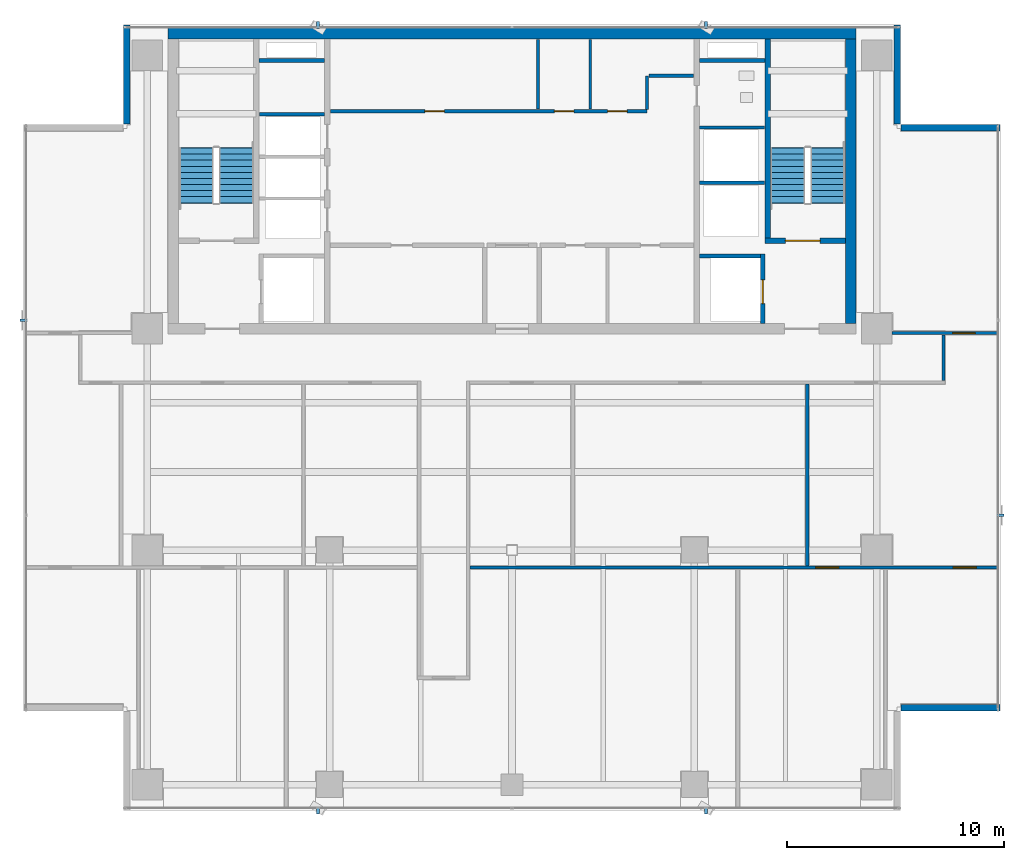
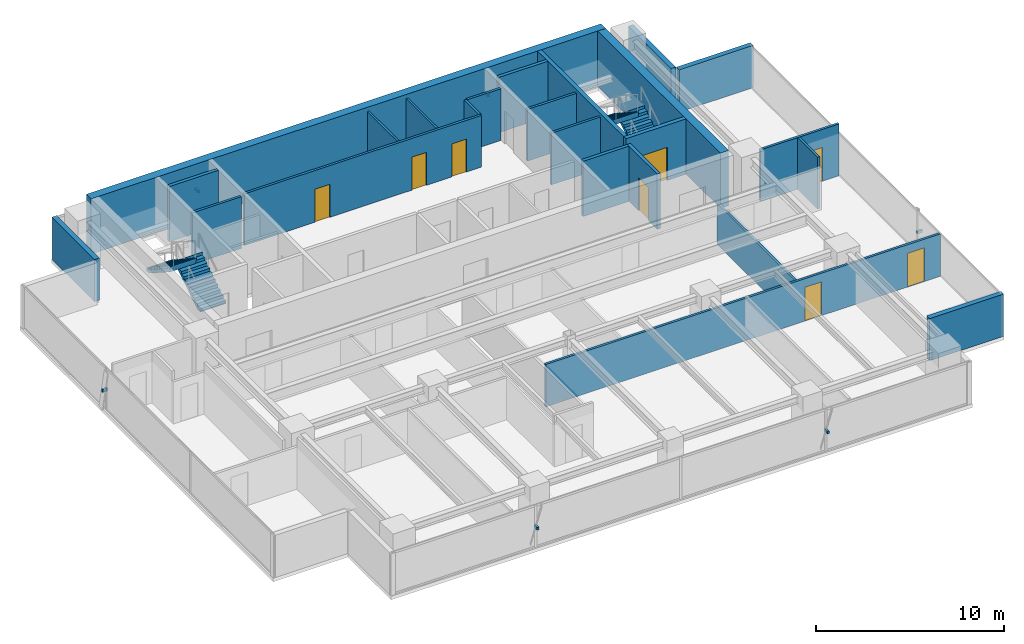
# One storey, part 21 of 26: 24 walls, 8 doors, 6 discrete accessories, 4 stair flights, 8 openings, 2 elements without a shape of their own.
"""IFC4 building model written with IfcOpenShell, lengths in metres."""

from ifc_helpers import new_model, si_unit, direction, frame, frame_2d, origin, origin_2d, place, context, subcontext, project, spatial, polyline, rectangle, outline, extrude, source, transform, mapped, material, layer, layer_set, material_profile, profile_set, type_object, element, fill, aggregate, save


model = new_model("IFC4")

# Units and contexts
model_context = context("Model", 3, precision=1e-05, world=origin(), true_north=direction((0.0, 1.0)))
body_context = subcontext(model_context, "Body", "Model", "MODEL_VIEW")
ifc_project = project(units=[si_unit("LENGTHUNIT", "METRE"), si_unit("AREAUNIT", "SQUARE_METRE"), si_unit("VOLUMEUNIT", "CUBIC_METRE"), si_unit("PLANEANGLEUNIT", "RADIAN"), si_unit("MASSUNIT", "GRAM", prefix="KILO")], contexts=[model_context])

# Site, building, storey
site_placement = place(None, origin())
site = spatial("IfcSite", under=ifc_project, at=site_placement, CompositionType="ELEMENT")
building_placement = place(site_placement, origin())
building = spatial("IfcBuilding", under=site, at=building_placement, Name="Sumidabori Civic Tower", CompositionType="ELEMENT")
storey_placement = place(building_placement, frame((0.0, 0.0, 250.39990234375)))
storey = spatial("IfcBuildingStorey", under=building, at=storey_placement, Name="L65", CompositionType="ELEMENT", Elevation=250.39990234375)

# Walls
ifc_material_1 = material(Name="Concrete C50/60", Category="concrete")
ifc_layer_1 = layer(ifc_material_1, 0.199951171875, Name="Concrete C50/60")
ifc_layer_set_1 = layer_set([ifc_layer_1], Name="Concrete C50/60")
wall_type_1 = type_object("IfcWallType", Name="WL-SHAFT-200", PredefinedType="SHEAR", material=ifc_layer_set_1)
shared_shape_1 = source(origin(), body_context, "Body", "SweptSolid", [
    extrude(rectangle(XDim=2.824951171875, YDim=0.199951171875, at=frame_2d((1.41259765625, 0.0))), origin(), (0.0, 0.0, 1.0), 3.60009765625),
])
wall_1_placement = place(storey_placement, frame((8.625, 13.550048828125, 0.0), z_axis=(0.0, 0.0, 1.0), x_axis=(1.0, 0.0, 0.0)))
element("IfcWall", 1, at=wall_1_placement, inside=storey, type_object=wall_type_1, Name="Core Shear Wall L65 EL2-N", PredefinedType="SHEAR", context=body_context, shape_type="MappedRepresentation", body=[
    mapped(shared_shape_1, transform((0.0, 0.0, 0.0), x_axis=(1.0, 0.0, 0.0), y_axis=(0.0, 1.0, 0.0), z_axis=(0.0, 0.0, 1.0), scale=1.0)),
])
shared_shape_2 = source(origin(), body_context, "Body", "SweptSolid", [
    extrude(rectangle(XDim=3.02001953125, YDim=0.199951171875, at=frame_2d((1.510009765625, 0.0))), origin(), (0.0, 0.0, 1.0), 3.60009765625),
])
for number, where, z_axis, x_axis, name in (
    (2, (-11.64501953125, 22.550048828125, 0.0), (0.0, 0.0, 1.0), (1.0, 0.0, 0.0), "Core Shear Wall L65 RIS1-S"),
    (3, (8.625, 22.550048828125, 0.0), (0.0, 0.0, 1.0), (1.0, 0.0, 0.0), "Core Shear Wall L65 RIS2-S"),
):
    element("IfcWall", number, at=place(storey_placement, frame(where, z_axis=z_axis, x_axis=x_axis)), inside=storey, type_object=wall_type_1, Name=name, PredefinedType="SHEAR", context=body_context, shape_type="MappedRepresentation", body=[
        mapped(shared_shape_2, transform((0.0, 0.0, 0.0), x_axis=(1.0, 0.0, 0.0), y_axis=(0.0, 1.0, 0.0), z_axis=(0.0, 0.0, 1.0), scale=1.0)),
    ])
ifc_layer_2 = layer(ifc_material_1, 0.5, Name="Concrete C50/60")
ifc_layer_set_2 = layer_set([ifc_layer_2], Name="Concrete C50/60")
wall_type_2 = type_object("IfcWallType", Name="WL-CORE-500", PredefinedType="SHEAR", material=ifc_layer_set_2)
shared_shape_3 = source(origin(), body_context, "Body", "SweptSolid", [
    extrude(rectangle(XDim=31.7001953125, YDim=0.5, at=frame_2d((15.85009765625, 0.0))), origin(), (0.0, 0.0, 1.0), 3.60009765625),
])
wall_2_placement = place(storey_placement, frame((-15.85009765625, 23.800048828125, 0.0), z_axis=(0.0, 0.0, 1.0), x_axis=(1.0, 0.0, 0.0)))
element("IfcWall", 4, at=wall_2_placement, inside=storey, type_object=wall_type_2, Name="Core Shear Wall L65 N", PredefinedType="SHEAR", context=body_context, shape_type="MappedRepresentation", body=[
    mapped(shared_shape_3, transform((0.0, 0.0, 0.0), x_axis=(1.0, 0.0, 0.0), y_axis=(0.0, 1.0, 0.0), z_axis=(0.0, 0.0, 1.0), scale=1.0)),
])
shared_shape_4 = source(origin(), body_context, "Body", "SweptSolid", [
    extrude(rectangle(XDim=13.10009765625, YDim=0.5, at=frame_2d((6.550048828125, 0.0))), origin(), (0.0, 0.0, 1.0), 3.60009765625),
])
wall_3_placement = place(storey_placement, frame((15.60009765625, 10.449951171875, 0.0), z_axis=(0.0, 0.0, 1.0), x_axis=(0.0, 1.0, 0.0)))
element("IfcWall", 5, at=wall_3_placement, inside=storey, type_object=wall_type_2, Name="Core Shear Wall L65 E", PredefinedType="SHEAR", context=body_context, shape_type="MappedRepresentation", body=[
    mapped(shared_shape_4, transform((0.0, 0.0, 0.0), x_axis=(1.0, 0.0, 0.0), y_axis=(0.0, 1.0, 0.0), z_axis=(0.0, 0.0, 1.0), scale=1.0)),
])

# Wall, opening, door
ifc_layer_3 = layer(ifc_material_1, 0.25, Name="Concrete C50/60")
ifc_layer_set_3 = layer_set([ifc_layer_3], Name="Concrete C50/60")
wall_type_3 = type_object("IfcWallType", Name="WL-SHAFT-250", PredefinedType="SHEAR", material=ifc_layer_set_3)
shared_shape_5 = source(origin(), body_context, "Body", "SweptSolid", [
    extrude(rectangle(XDim=3.705078125, YDim=0.25, at=frame_2d((1.8525390625, 0.0))), origin(), (0.0, 0.0, 1.0), 3.60009765625),
])
wall_4_placement = place(storey_placement, frame((11.64501953125, 14.25, 0.0), z_axis=(0.0, 0.0, 1.0), x_axis=(1.0, 0.0, 0.0)))
wall_4 = element("IfcWall", 6, at=wall_4_placement, inside=storey, type_object=wall_type_3, Name="Core Shear Wall L65 ST2-S", PredefinedType="SHEAR", context=body_context, shape_type="MappedRepresentation", body=[
    mapped(shared_shape_5, transform((0.0, 0.0, 0.0), x_axis=(1.0, 0.0, 0.0), y_axis=(0.0, 1.0, 0.0), z_axis=(0.0, 0.0, 1.0), scale=1.0)),
])
opening_1_placement = place(wall_4_placement, frame((0.949951171875, 0.0, 0.0)))
opening_1 = element("IfcOpeningElement", 7, at=opening_1_placement, cuts=wall_4, Name="Opening DR-FD4", PredefinedType="OPENING", context=body_context, shape_type="SweptSolid", body=[
    extrude(rectangle(XDim=1.60009765625, YDim=2.14990234375, at=frame_2d((0.800048828125, 1.074951171875))), frame((0.0, 0.136962890625, 0.0), z_axis=(0.0, -1.0, 0.0), x_axis=(1.0, 0.0, 0.0)), (0.0, 0.0, 1.0), 0.27392578125),
])
ifc_material_2 = material(Name="Steel SN490", Category="steel")
door_type_1 = type_object("IfcDoorType", Name="DR-FD4", OperationType="DOUBLE_DOOR_SINGLE_SWING", PredefinedType="DOOR", material=ifc_material_2)
shared_shape_6 = source(origin(), body_context, "Body", "SweptSolid", [
    extrude(rectangle(XDim=1.60009765625, YDim=2.14990234375, at=frame_2d((0.800048828125, 1.074951171875))), frame((0.0, 0.02490234375, 0.0), z_axis=(0.0, -1.0, 0.0), x_axis=(1.0, 0.0, 0.0)), (0.0, 0.0, 1.0), 0.050048828125),
])
door_1_placement = place(opening_1_placement, origin())
door_1 = element("IfcDoor", 8, at=door_1_placement, inside=storey, type_object=door_type_1, Name="Door DR:L65:ST2", OperationType="DOUBLE_DOOR_SINGLE_SWING", OverallHeight=2.14990234375, OverallWidth=1.60009765625, PredefinedType="DOOR", context=body_context, shape_type="MappedRepresentation", body=[
    mapped(shared_shape_6, transform((0.0, 0.0, 0.0), x_axis=(1.0, 0.0, 0.0), y_axis=(0.0, 1.0, 0.0), z_axis=(0.0, 0.0, 1.0), scale=1.0)),
])
fill(opening_1, door_1)

# Wall
shared_shape_7 = source(origin(), body_context, "Body", "SweptSolid", [
    extrude(rectangle(XDim=9.175048828125, YDim=0.25, at=frame_2d((4.58740234375, 0.0))), origin(), (0.0, 0.0, 1.0), 3.60009765625),
])
wall_5_placement = place(storey_placement, frame((11.77001953125, 14.375, 0.0), z_axis=(0.0, 0.0, 1.0), x_axis=(0.0, 1.0, 0.0)))
element("IfcWall", 9, at=wall_5_placement, inside=storey, type_object=wall_type_3, Name="Core Shear Wall L65 ST2-W", PredefinedType="SHEAR", context=body_context, shape_type="MappedRepresentation", body=[
    mapped(shared_shape_7, transform((0.0, 0.0, 0.0), x_axis=(1.0, 0.0, 0.0), y_axis=(0.0, 1.0, 0.0), z_axis=(0.0, 0.0, 1.0), scale=1.0)),
])

# Wall, opening, door
shared_shape_8 = source(origin(), body_context, "Body", "SweptSolid", [
    extrude(rectangle(XDim=3.199951171875, YDim=0.199951171875, at=frame_2d((1.60009765625, 0.0))), origin(), (0.0, 0.0, 1.0), 3.60009765625),
])
wall_6_placement = place(storey_placement, frame((11.550048828125, 10.449951171875, 0.0), z_axis=(0.0, 0.0, 1.0), x_axis=(0.0, 1.0, 0.0)))
wall_6 = element("IfcWall", 10, at=wall_6_placement, inside=storey, type_object=wall_type_1, Name="Core Shear Wall L65 EL2-E", PredefinedType="SHEAR", context=body_context, shape_type="MappedRepresentation", body=[
    mapped(shared_shape_8, transform((0.0, 0.0, 0.0), x_axis=(1.0, 0.0, 0.0), y_axis=(0.0, 1.0, 0.0), z_axis=(0.0, 0.0, 1.0), scale=1.0)),
])
opening_2_placement = place(wall_6_placement, frame((0.89990234375, 0.0, 0.0)))
opening_2 = element("IfcOpeningElement", 11, at=opening_2_placement, cuts=wall_6, Name="Opening LD-2", PredefinedType="OPENING", context=body_context, shape_type="SweptSolid", body=[
    extrude(rectangle(XDim=1.10009765625, YDim=2.14990234375, at=frame_2d((0.550048828125, 1.074951171875))), frame((0.0, 0.11181640625, 0.0), z_axis=(0.0, -1.0, 0.0), x_axis=(1.0, 0.0, 0.0)), (0.0, 0.0, 1.0), 0.223876953125),
])
ifc_material_3 = material(Name="Stainless Steel Hairline Finish", Category="steel")
door_type_2 = type_object("IfcDoorType", Name="DR-LD2", OperationType="DOUBLE_DOOR_SLIDING", PredefinedType="DOOR", material=ifc_material_3)
shared_shape_9 = source(origin(), body_context, "Body", "SweptSolid", [
    extrude(rectangle(XDim=1.10009765625, YDim=2.14990234375, at=frame_2d((0.550048828125, 1.074951171875))), frame((0.0, 0.02490234375, 0.0), z_axis=(0.0, -1.0, 0.0), x_axis=(1.0, 0.0, 0.0)), (0.0, 0.0, 1.0), 0.050048828125),
])
door_2_placement = place(opening_2_placement, origin())
door_2 = element("IfcDoor", 12, at=door_2_placement, inside=storey, type_object=door_type_2, Name="Door DR:L65:LD-EL2", OperationType="DOUBLE_DOOR_SLIDING", OverallHeight=2.14990234375, OverallWidth=1.10009765625, PredefinedType="DOOR", context=body_context, shape_type="MappedRepresentation", body=[
    mapped(shared_shape_9, transform((0.0, 0.0, 0.0), x_axis=(1.0, 0.0, 0.0), y_axis=(0.0, 1.0, 0.0), z_axis=(0.0, 0.0, 1.0), scale=1.0)),
])
fill(opening_2, door_2)

# Walls
ifc_material_4 = material(Name="Precast concrete C40/50", Category="concrete")
ifc_layer_4 = layer(ifc_material_4, 0.300048828125, Name="Precast concrete C40/50")
ifc_layer_set_4 = layer_set([ifc_layer_4], Name="Precast concrete C40/50")
wall_type_4 = type_object("IfcWallType", Name="WL-EXT-POD300", PredefinedType="STANDARD", material=ifc_layer_set_4)
shared_shape_10 = source(origin(), body_context, "Body", "SweptSolid", [
    extrude(rectangle(XDim=4.56005859375, YDim=0.300048828125, at=frame_2d((2.280029296875, 0.0))), origin(), (0.0, 0.0, 1.0), 2.75),
])
for number, where, z_axis, x_axis, name in (
    (13, (17.919921875, -7.25, 0.0), (0.0, 0.0, 1.0), (1.0, 0.0, 0.0), "Notched Corner Spandrel Band L65-03"),
    (14, (22.47998046875, 19.449951171875, 0.0), (0.0, 0.0, 1.0), (-1.0, 0.0, 0.0), "Notched Corner Spandrel Band L65-05"),
):
    element("IfcWall", number, at=place(storey_placement, frame(where, z_axis=z_axis, x_axis=x_axis)), inside=storey, type_object=wall_type_4, Name=name, PredefinedType="STANDARD", context=body_context, shape_type="MappedRepresentation", body=[
        mapped(shared_shape_10, transform((0.0, 0.0, 0.0), x_axis=(1.0, 0.0, 0.0), y_axis=(0.0, 1.0, 0.0), z_axis=(0.0, 0.0, 1.0), scale=1.0)),
    ])
shared_shape_11 = source(origin(), body_context, "Body", "SweptSolid", [
    extrude(rectangle(XDim=4.559814453125, YDim=0.300048828125, at=frame_2d((2.27978515625, 0.0))), origin(), (0.0, 0.0, 1.0), 2.75),
])
for number, where, z_axis, x_axis, name in (
    (15, (17.75, 19.6201171875, 0.0), (0.0, 0.0, 1.0), (0.0, 1.0, 0.0), "Notched Corner Spandrel Band L65-06"),
    (16, (-17.75, 24.179931640625, 0.0), (0.0, 0.0, 1.0), (0.0, -1.0, 0.0), "Notched Corner Spandrel Band L65-08"),
):
    element("IfcWall", number, at=place(storey_placement, frame(where, z_axis=z_axis, x_axis=x_axis)), inside=storey, type_object=wall_type_4, Name=name, PredefinedType="STANDARD", context=body_context, shape_type="MappedRepresentation", body=[
        mapped(shared_shape_11, transform((0.0, 0.0, 0.0), x_axis=(1.0, 0.0, 0.0), y_axis=(0.0, 1.0, 0.0), z_axis=(0.0, 0.0, 1.0), scale=1.0)),
    ])
ifc_material_5 = material(Name="Gypsum Plasterboard Acoustic Partition")
ifc_layer_5 = layer(ifc_material_5, 0.14990234375, Name="Gypsum Plasterboard Acoustic Partition")
ifc_layer_set_5 = layer_set([ifc_layer_5], Name="Gypsum Plasterboard Acoustic Partition")
wall_type_5 = type_object("IfcWallType", Name="WL-PART-150", PredefinedType="PARTITIONING", material=ifc_layer_set_5)
shared_shape_12 = source(origin(), body_context, "Body", "SweptSolid", [
    extrude(rectangle(XDim=3.010009765625, YDim=0.14990234375, at=frame_2d((1.5048828125, 0.0))), origin(), (0.0, 0.0, 1.0), 3.3701171875),
])
for number, where, z_axis, x_axis, name in (
    (17, (-11.639892578125, 20.080078125, 0.0), (0.0, 0.0, 1.0), (1.0, 0.0, 0.0), "Interior Partition WL:L65:DIV-PLH3"),
    (18, (8.6298828125, 16.919921875, 0.0), (0.0, 0.0, 1.0), (1.0, 0.0, 0.0), "Interior Partition WL:L65:DIV-OBS1"),
    (19, (8.6298828125, 19.469970703125, 0.0), (0.0, 0.0, 1.0), (1.0, 0.0, 0.0), "Interior Partition WL:L65:DIV-OBS2"),
):
    element("IfcWall", number, at=place(storey_placement, frame(where, z_axis=z_axis, x_axis=x_axis)), inside=storey, type_object=wall_type_5, Name=name, PredefinedType="PARTITIONING", context=body_context, shape_type="MappedRepresentation", body=[
        mapped(shared_shape_12, transform((0.0, 0.0, 0.0), x_axis=(1.0, 0.0, 0.0), y_axis=(0.0, 1.0, 0.0), z_axis=(0.0, 0.0, 1.0), scale=1.0)),
    ])

# Wall, openings, doors
shared_shape_13 = source(origin(), body_context, "Body", "SweptSolid", [
    extrude(rectangle(XDim=14.590087890625, YDim=0.14990234375, at=frame_2d((7.294921875, 0.0))), origin(), (0.0, 0.0, 1.0), 3.3701171875),
])
wall_7_placement = place(storey_placement, frame((-8.3701171875, 20.219970703125, 0.0), z_axis=(0.0, 0.0, 1.0), x_axis=(1.0, 0.0, 0.0)))
wall_7 = element("IfcWall", 20, at=wall_7_placement, inside=storey, type_object=wall_type_5, Name="Interior Partition WL:L65:CBAND-M", PredefinedType="PARTITIONING", context=body_context, shape_type="MappedRepresentation", body=[
    mapped(shared_shape_13, transform((0.0, 0.0, 0.0), x_axis=(1.0, 0.0, 0.0), y_axis=(0.0, 1.0, 0.0), z_axis=(0.0, 0.0, 1.0), scale=1.0)),
])
opening_3_placement = place(wall_7_placement, frame((4.360107421875, 0.0, 0.0)))
opening_3 = element("IfcOpeningElement", 21, at=opening_3_placement, cuts=wall_7, Name="Opening DR-1", PredefinedType="OPENING", context=body_context, shape_type="SweptSolid", body=[
    extrude(rectangle(XDim=0.89990234375, YDim=2.14990234375, at=frame_2d((0.449951171875, 1.074951171875))), frame((0.0, 0.0869140625, 0.0), z_axis=(0.0, -1.0, 0.0), x_axis=(1.0, 0.0, 0.0)), (0.0, 0.0, 1.0), 0.173828125),
])
opening_4_placement = place(wall_7_placement, frame((10.320068359375, 0.0, 0.0)))
opening_4 = element("IfcOpeningElement", 22, at=opening_4_placement, cuts=wall_7, Name="Opening DR-1", PredefinedType="OPENING", context=body_context, shape_type="SweptSolid", body=[
    extrude(rectangle(XDim=0.89990234375, YDim=2.14990234375, at=frame_2d((0.449951171875, 1.074951171875))), frame((0.0, 0.0869140625, 0.0), z_axis=(0.0, -1.0, 0.0), x_axis=(1.0, 0.0, 0.0)), (0.0, 0.0, 1.0), 0.173828125),
])
opening_5_placement = place(wall_7_placement, frame((12.77001953125, 0.0, 0.0)))
opening_5 = element("IfcOpeningElement", 23, at=opening_5_placement, cuts=wall_7, Name="Opening DR-1", PredefinedType="OPENING", context=body_context, shape_type="SweptSolid", body=[
    extrude(rectangle(XDim=0.89990234375, YDim=2.14990234375, at=frame_2d((0.449951171875, 1.074951171875))), frame((0.0, 0.0869140625, 0.0), z_axis=(0.0, -1.0, 0.0), x_axis=(1.0, 0.0, 0.0)), (0.0, 0.0, 1.0), 0.173828125),
])
ifc_material_6 = material(Name="Japanese Hinoki Timber", Category="wood")
door_type_3 = type_object("IfcDoorType", Name="DR-INT-900", OperationType="NOTDEFINED", PredefinedType="DOOR", material=ifc_material_6)
shared_shape_14 = source(origin(), body_context, "Body", "SweptSolid", [
    extrude(rectangle(XDim=0.89990234375, YDim=2.14990234375, at=frame_2d((0.449951171875, 1.074951171875))), frame((0.0, 0.02490234375, 0.0), z_axis=(0.0, -1.0, 0.0), x_axis=(1.0, 0.0, 0.0)), (0.0, 0.0, 1.0), 0.050048828125),
])
door_3_placement = place(opening_3_placement, origin())
door_3 = element("IfcDoor", 24, at=door_3_placement, inside=storey, type_object=door_type_3, Name="Door DR:L65:CB-1", OperationType="SINGLE_SWING_LEFT", OverallHeight=2.14990234375, OverallWidth=0.89990234375, PredefinedType="DOOR", context=body_context, shape_type="MappedRepresentation", body=[
    mapped(shared_shape_14, transform((0.0, 0.0, 0.0), x_axis=(1.0, 0.0, 0.0), y_axis=(0.0, 1.0, 0.0), z_axis=(0.0, 0.0, 1.0), scale=1.0)),
])
fill(opening_3, door_3)
door_4_placement = place(opening_4_placement, origin())
door_4 = element("IfcDoor", 25, at=door_4_placement, inside=storey, type_object=door_type_3, Name="Door DR:L65:CB-2", OperationType="SINGLE_SWING_RIGHT", OverallHeight=2.14990234375, OverallWidth=0.89990234375, PredefinedType="DOOR", context=body_context, shape_type="MappedRepresentation", body=[
    mapped(shared_shape_14, transform((0.0, 0.0, 0.0), x_axis=(1.0, 0.0, 0.0), y_axis=(0.0, 1.0, 0.0), z_axis=(0.0, 0.0, 1.0), scale=1.0)),
])
fill(opening_4, door_4)
door_5_placement = place(opening_5_placement, origin())
door_5 = element("IfcDoor", 26, at=door_5_placement, inside=storey, type_object=door_type_3, Name="Door DR:L65:CB-3", OperationType="SINGLE_SWING_LEFT", OverallHeight=2.14990234375, OverallWidth=0.89990234375, PredefinedType="DOOR", context=body_context, shape_type="MappedRepresentation", body=[
    mapped(shared_shape_14, transform((0.0, 0.0, 0.0), x_axis=(1.0, 0.0, 0.0), y_axis=(0.0, 1.0, 0.0), z_axis=(0.0, 0.0, 1.0), scale=1.0)),
])
fill(opening_5, door_5)

# Walls
shared_shape_15 = source(origin(), body_context, "Body", "SweptSolid", [
    extrude(rectangle(XDim=1.550048828125, YDim=0.14990234375, at=frame_2d((0.77490234375, 0.0))), origin(), (0.0, 0.0, 1.0), 3.3701171875),
])
wall_8_placement = place(storey_placement, frame((6.219970703125, 20.300048828125, 0.0), z_axis=(0.0, 0.0, 1.0), x_axis=(0.0, 1.0, 0.0)))
element("IfcWall", 27, at=wall_8_placement, inside=storey, type_object=wall_type_5, Name="Interior Partition WL:L65:CBAND-ME1", PredefinedType="PARTITIONING", context=body_context, shape_type="MappedRepresentation", body=[
    mapped(shared_shape_15, transform((0.0, 0.0, 0.0), x_axis=(1.0, 0.0, 0.0), y_axis=(0.0, 1.0, 0.0), z_axis=(0.0, 0.0, 1.0), scale=1.0)),
])
shared_shape_16 = source(origin(), body_context, "Body", "SweptSolid", [
    extrude(rectangle(XDim=2.070068359375, YDim=0.14990234375, at=frame_2d((1.03515625, 0.0))), origin(), (0.0, 0.0, 1.0), 3.3701171875),
])
wall_9_placement = place(storey_placement, frame((6.300048828125, 21.85009765625, 0.0), z_axis=(0.0, 0.0, 1.0), x_axis=(1.0, 0.0, 0.0)))
element("IfcWall", 28, at=wall_9_placement, inside=storey, type_object=wall_type_5, Name="Interior Partition WL:L65:CBAND-ME2", PredefinedType="PARTITIONING", context=body_context, shape_type="MappedRepresentation", body=[
    mapped(shared_shape_16, transform((0.0, 0.0, 0.0), x_axis=(1.0, 0.0, 0.0), y_axis=(0.0, 1.0, 0.0), z_axis=(0.0, 0.0, 1.0), scale=1.0)),
])
ifc_layer_6 = layer(ifc_material_5, 0.1201171875, Name="Gypsum Plasterboard Acoustic Partition")
ifc_layer_set_6 = layer_set([ifc_layer_6], Name="Gypsum Plasterboard Acoustic Partition")
wall_type_6 = type_object("IfcWallType", Name="WL-PART-120", PredefinedType="PARTITIONING", material=ifc_layer_set_6)
shared_shape_17 = source(origin(), body_context, "Body", "SweptSolid", [
    extrude(rectangle(XDim=3.18994140625, YDim=0.1201171875, at=frame_2d((1.594970703125, 0.0))), origin(), (0.0, 0.0, 1.0), 3.3701171875),
])
for number, where, z_axis, x_axis, name in (
    (29, (1.199951171875, 20.320068359375, 0.0), (0.0, 0.0, 1.0), (0.0, 1.0, 0.0), "Interior Partition WL:L65:LV8-S1"),
    (30, (3.60009765625, 20.320068359375, 0.0), (0.0, 0.0, 1.0), (0.0, 1.0, 0.0), "Interior Partition WL:L65:LV8-S2"),
):
    element("IfcWall", number, at=place(storey_placement, frame(where, z_axis=z_axis, x_axis=x_axis)), inside=storey, type_object=wall_type_6, Name=name, PredefinedType="PARTITIONING", context=body_context, shape_type="MappedRepresentation", body=[
        mapped(shared_shape_17, transform((0.0, 0.0, 0.0), x_axis=(1.0, 0.0, 0.0), y_axis=(0.0, 1.0, 0.0), z_axis=(0.0, 0.0, 1.0), scale=1.0)),
    ])

# Wall, opening, door
shared_shape_18 = source(origin(), body_context, "Body", "SweptSolid", [
    extrude(rectangle(XDim=4.840087890625, YDim=0.14990234375, at=frame_2d((2.419921875, 0.0))), origin(), (0.0, 0.0, 1.0), 3.3701171875),
])
wall_10_placement = place(storey_placement, frame((17.510009765625, 10.0, 0.0), z_axis=(0.0, 0.0, 1.0), x_axis=(1.0, 0.0, 0.0)))
wall_10 = element("IfcWall", 31, at=wall_10_placement, inside=storey, type_object=wall_type_5, Name="Interior Partition WL:L65:FLK-NE", PredefinedType="PARTITIONING", context=body_context, shape_type="MappedRepresentation", body=[
    mapped(shared_shape_18, transform((0.0, 0.0, 0.0), x_axis=(1.0, 0.0, 0.0), y_axis=(0.0, 1.0, 0.0), z_axis=(0.0, 0.0, 1.0), scale=1.0)),
])
opening_6_placement = place(wall_10_placement, frame((2.780029296875, 0.0, 0.0)))
opening_6 = element("IfcOpeningElement", 32, at=opening_6_placement, cuts=wall_10, Name="Opening DR-4", PredefinedType="OPENING", context=body_context, shape_type="SweptSolid", body=[
    extrude(rectangle(XDim=1.0400390625, YDim=2.199951171875, at=frame_2d((0.52001953125, 1.10009765625))), frame((0.0, 0.0869140625, 0.0), z_axis=(0.0, -1.0, 0.0), x_axis=(1.0, 0.0, 0.0)), (0.0, 0.0, 1.0), 0.173828125),
])
door_type_4 = type_object("IfcDoorType", Name="DR-INT-1040", OperationType="NOTDEFINED", PredefinedType="DOOR", material=ifc_material_6)
shared_shape_19 = source(origin(), body_context, "Body", "SweptSolid", [
    extrude(rectangle(XDim=1.0400390625, YDim=2.199951171875, at=frame_2d((0.52001953125, 1.10009765625))), frame((0.0, 0.02490234375, 0.0), z_axis=(0.0, -1.0, 0.0), x_axis=(1.0, 0.0, 0.0)), (0.0, 0.0, 1.0), 0.050048828125),
])
door_6_placement = place(opening_6_placement, origin())
door_6 = element("IfcDoor", 33, at=door_6_placement, inside=storey, type_object=door_type_4, Name="Door DR:L65:D09", OperationType="SINGLE_SWING_LEFT", OverallHeight=2.199951171875, OverallWidth=1.0400390625, PredefinedType="DOOR", context=body_context, shape_type="MappedRepresentation", body=[
    mapped(shared_shape_19, transform((0.0, 0.0, 0.0), x_axis=(1.0, 0.0, 0.0), y_axis=(0.0, 1.0, 0.0), z_axis=(0.0, 0.0, 1.0), scale=1.0)),
])
fill(opening_6, door_6)

# Wall
shared_shape_20 = source(origin(), body_context, "Body", "SweptSolid", [
    extrude(rectangle(XDim=2.114990234375, YDim=0.14990234375, at=frame_2d((1.0576171875, 0.0))), origin(), (0.0, 0.0, 1.0), 3.3701171875),
])
wall_11_placement = place(storey_placement, frame((19.875, 7.804931640625, 0.0), z_axis=(0.0, 0.0, 1.0), x_axis=(0.0, 1.0, 0.0)))
element("IfcWall", 34, at=wall_11_placement, inside=storey, type_object=wall_type_5, Name="Interior Partition WL:L65:CORR-VNE", PredefinedType="PARTITIONING", context=body_context, shape_type="MappedRepresentation", body=[
    mapped(shared_shape_20, transform((0.0, 0.0, 0.0), x_axis=(1.0, 0.0, 0.0), y_axis=(0.0, 1.0, 0.0), z_axis=(0.0, 0.0, 1.0), scale=1.0)),
])

# Wall, openings, doors
shared_shape_21 = source(origin(), body_context, "Body", "SweptSolid", [
    extrude(rectangle(XDim=24.295166015625, YDim=0.14990234375, at=frame_2d((12.1474609375, 0.0))), origin(), (0.0, 0.0, 1.0), 2.755126953125),
])
wall_12_placement = place(storey_placement, frame((-1.945068359375, -0.800048828125, 0.0), z_axis=(0.0, 0.0, 1.0), x_axis=(1.0, 0.0, 0.0)))
wall_12 = element("IfcWall", 35, at=wall_12_placement, inside=storey, type_object=wall_type_5, Name="Interior Partition WL:L65:BAND-Y-2", PredefinedType="PARTITIONING", context=body_context, shape_type="MappedRepresentation", body=[
    mapped(shared_shape_21, transform((0.0, 0.0, 0.0), x_axis=(1.0, 0.0, 0.0), y_axis=(0.0, 1.0, 0.0), z_axis=(0.0, 0.0, 1.0), scale=1.0)),
])
opening_7_placement = place(wall_12_placement, frame((22.277587890625, 0.0, 0.0)))
opening_7 = element("IfcOpeningElement", 36, at=opening_7_placement, cuts=wall_12, Name="Opening DR-4", PredefinedType="OPENING", context=body_context, shape_type="SweptSolid", body=[
    extrude(rectangle(XDim=1.0400390625, YDim=2.199951171875, at=frame_2d((0.52001953125, 1.10009765625))), frame((0.0, 0.0869140625, 0.0), z_axis=(0.0, -1.0, 0.0), x_axis=(1.0, 0.0, 0.0)), (0.0, 0.0, 1.0), 0.173828125),
])
opening_8_placement = place(wall_12_placement, frame((15.945068359375, 0.0, 0.0)))
opening_8 = element("IfcOpeningElement", 37, at=opening_8_placement, cuts=wall_12, Name="Opening DR-4", PredefinedType="OPENING", context=body_context, shape_type="SweptSolid", body=[
    extrude(rectangle(XDim=1.0400390625, YDim=2.199951171875, at=frame_2d((0.52001953125, 1.10009765625))), frame((0.0, 0.0869140625, 0.0), z_axis=(0.0, -1.0, 0.0), x_axis=(1.0, 0.0, 0.0)), (0.0, 0.0, 1.0), 0.173828125),
])
door_7_placement = place(opening_7_placement, origin())
door_7 = element("IfcDoor", 38, at=door_7_placement, inside=storey, type_object=door_type_4, Name="Door DR:L65:D11", OperationType="SINGLE_SWING_LEFT", OverallHeight=2.199951171875, OverallWidth=1.0400390625, PredefinedType="DOOR", context=body_context, shape_type="MappedRepresentation", body=[
    mapped(shared_shape_19, transform((0.0, 0.0, 0.0), x_axis=(1.0, 0.0, 0.0), y_axis=(0.0, 1.0, 0.0), z_axis=(0.0, 0.0, 1.0), scale=1.0)),
])
fill(opening_7, door_7)
door_8_placement = place(opening_8_placement, origin())
door_8 = element("IfcDoor", 39, at=door_8_placement, inside=storey, type_object=door_type_4, Name="Door DR:L65:D13", OperationType="SINGLE_SWING_LEFT", OverallHeight=2.199951171875, OverallWidth=1.0400390625, PredefinedType="DOOR", context=body_context, shape_type="MappedRepresentation", body=[
    mapped(shared_shape_19, transform((0.0, 0.0, 0.0), x_axis=(1.0, 0.0, 0.0), y_axis=(0.0, 1.0, 0.0), z_axis=(0.0, 0.0, 1.0), scale=1.0)),
])
fill(opening_8, door_8)

# Wall
shared_shape_22 = source(origin(), body_context, "Body", "SweptSolid", [
    extrude(rectangle(XDim=8.364990234375, YDim=0.14990234375, at=frame_2d((4.1826171875, 0.0))), origin(), (0.0, 0.0, 1.0), 2.655029296875),
])
wall_13_placement = place(storey_placement, frame((13.60009765625, -0.719970703125, 0.0), z_axis=(0.0, 0.0, 1.0), x_axis=(0.0, 1.0, 0.0)))
element("IfcWall", 40, at=wall_13_placement, inside=storey, type_object=wall_type_5, Name="Interior Partition WL:L65:VX-N4", PredefinedType="PARTITIONING", context=body_context, shape_type="MappedRepresentation", body=[
    mapped(shared_shape_22, transform((0.0, 0.0, 0.0), x_axis=(1.0, 0.0, 0.0), y_axis=(0.0, 1.0, 0.0), z_axis=(0.0, 0.0, 1.0), scale=1.0)),
])

# Stair, stair flights
ifc_material_7 = material(Name="Concrete C40/50", Category="concrete")
stair_type = type_object("IfcStairType", Name="ST-CORE-1600", PredefinedType="HALF_TURN_STAIR", material=ifc_material_7)
stair_1_placement = place(storey_placement, origin())
stair_1 = element("IfcStair", 41, at=stair_1_placement, inside=storey, type_object=stair_type, Name="L65 ST-1", PredefinedType="HALF_TURN_STAIR")
stair_flight_type = type_object("IfcStairFlightType", Name="SF-CORE-1600", PredefinedType="STRAIGHT", material=ifc_material_7)
shared_shape_23 = source(origin(), body_context, "Body", "SweptSolid", [
    extrude(outline(polyline([(-0.02490234375, 0.0), (-0.02490234375, 0.0400390625), (0.0, 0.0400390625), (0.0, 0.179931640625), (0.280029296875, 0.179931640625), (0.280029296875, 0.360107421875), (0.56005859375, 0.360107421875), (0.56005859375, 0.5400390625), (0.840087890625, 0.5400390625), (0.840087890625, 0.719970703125), (1.1201171875, 0.719970703125), (1.1201171875, 0.89990234375), (1.39990234375, 0.89990234375), (1.39990234375, 1.080078125), (1.679931640625, 1.080078125), (1.679931640625, 1.260009765625), (1.9599609375, 1.260009765625), (1.9599609375, 1.43994140625), (2.239990234375, 1.43994140625), (2.239990234375, 1.6201171875), (2.52001953125, 1.6201171875), (2.52001953125, 1.800048828125), (2.544921875, 1.800048828125), (2.544921875, 1.650146484375), (2.52001953125, 1.44189453125), (0.277099609375, 0.0), (-0.02490234375, 0.0)])), frame((0.0, 0.800048828125, 0.0), z_axis=(0.0, -1.0, 0.0), x_axis=(1.0, 0.0, 0.0)), (0.0, 0.0, 1.0), 1.60009765625),
])
stair_flight_1_placement = place(storey_placement, frame((-12.699951171875, 16.0, 0.0), z_axis=(0.0, 0.0, 1.0), x_axis=(0.0, 1.0, 0.0)))
stair_flight_1 = element("IfcStairFlight", 42, at=stair_flight_1_placement, type_object=stair_flight_type, Name="ST-1 flight 1", NumberOfRisers=10, NumberOfTreads=9, PredefinedType="STRAIGHT", RiserHeight=0.18, TreadLength=0.28, context=body_context, shape_type="MappedRepresentation", body=[
    mapped(shared_shape_23, transform((0.0, 0.0, 0.0), x_axis=(1.0, 0.0, 0.0), y_axis=(0.0, 1.0, 0.0), z_axis=(0.0, 0.0, 1.0), scale=1.0)),
])
stair_flight_2_placement = place(storey_placement, frame((-14.5400390625, 18.52001953125, 1.800048828125), z_axis=(0.0, 0.0, 1.0), x_axis=(0.0, -1.0, 0.0)))
stair_flight_2 = element("IfcStairFlight", 43, at=stair_flight_2_placement, type_object=stair_flight_type, Name="ST-1 flight 2", NumberOfRisers=10, NumberOfTreads=9, PredefinedType="STRAIGHT", RiserHeight=0.18, TreadLength=0.28, context=body_context, shape_type="MappedRepresentation", body=[
    mapped(shared_shape_23, transform((0.0, 0.0, 0.0), x_axis=(1.0, 0.0, 0.0), y_axis=(0.0, 1.0, 0.0), z_axis=(0.0, 0.0, 1.0), scale=1.0)),
])
aggregate(stair_1, [stair_flight_1, stair_flight_2])

stair_2_placement = place(storey_placement, origin())
stair_2 = element("IfcStair", 44, at=stair_2_placement, inside=storey, type_object=stair_type, Name="L65 ST-2", PredefinedType="HALF_TURN_STAIR")
stair_flight_3_placement = place(storey_placement, frame((14.5400390625, 16.0, 0.0), z_axis=(0.0, 0.0, 1.0), x_axis=(0.0, 1.0, 0.0)))
stair_flight_3 = element("IfcStairFlight", 45, at=stair_flight_3_placement, type_object=stair_flight_type, Name="ST-2 flight 1", NumberOfRisers=10, NumberOfTreads=9, PredefinedType="STRAIGHT", RiserHeight=0.18, TreadLength=0.28, context=body_context, shape_type="MappedRepresentation", body=[
    mapped(shared_shape_23, transform((0.0, 0.0, 0.0), x_axis=(1.0, 0.0, 0.0), y_axis=(0.0, 1.0, 0.0), z_axis=(0.0, 0.0, 1.0), scale=1.0)),
])
stair_flight_4_placement = place(storey_placement, frame((12.699951171875, 18.52001953125, 1.800048828125), z_axis=(0.0, 0.0, 1.0), x_axis=(0.0, -1.0, 0.0)))
stair_flight_4 = element("IfcStairFlight", 46, at=stair_flight_4_placement, type_object=stair_flight_type, Name="ST-2 flight 2", NumberOfRisers=10, NumberOfTreads=9, PredefinedType="STRAIGHT", RiserHeight=0.18, TreadLength=0.28, context=body_context, shape_type="MappedRepresentation", body=[
    mapped(shared_shape_23, transform((0.0, 0.0, 0.0), x_axis=(1.0, 0.0, 0.0), y_axis=(0.0, 1.0, 0.0), z_axis=(0.0, 0.0, 1.0), scale=1.0)),
])
aggregate(stair_2, [stair_flight_3, stair_flight_4])

# Discrete accessories
ifc_material_profile = material_profile(ifc_material_3, rectangle(XDim=0.1201171875, YDim=0.179931640625, at=origin_2d()), Name="STEEL BRACKET 180x120")
ifc_profile_set = profile_set([ifc_material_profile], Name="Stainless Steel Hairline Finish")
discrete_accessory_type = type_object("IfcDiscreteAccessoryType", Name="AC-BRK-180", PredefinedType="BRACKET", material=ifc_profile_set)
shared_shape_24 = source(origin(), body_context, "Body", "SweptSolid", [
    extrude(rectangle(XDim=0.1201171875, YDim=0.179931640625, at=origin_2d()), origin(), (0.0, 0.0, 1.0), 0.329833984375),
])
for number, where, z_axis, x_axis, name in (
    (47, (-8.93505859375, -11.830078125, 1.364990234375), (0.0, -1.0, 0.0), (1.0, 0.0, 0.0), "Bronze Fin Fixing Bracket L65-01"),
    (48, (8.93505859375, -11.830078125, 1.364990234375), (0.0, -1.0, 0.0), (1.0, 0.0, 0.0), "Bronze Fin Fixing Bracket L65-03"),
    (49, (22.330078125, 1.610107421875, 1.364990234375), (1.0, 0.0, 0.0), (0.0, 1.0, 0.0), "Bronze Fin Fixing Bracket L65-01"),
    (50, (-22.330078125, 10.590087890625, 1.364990234375), (-1.0, 0.0, 0.0), (0.0, -1.0, 0.0), "Bronze Fin Fixing Bracket L65-01"),
):
    element("IfcDiscreteAccessory", number, at=place(storey_placement, frame(where, z_axis=z_axis, x_axis=x_axis)), inside=storey, type_object=discrete_accessory_type, Name=name, PredefinedType="BRACKET", context=body_context, shape_type="MappedRepresentation", body=[
        mapped(shared_shape_24, transform((0.0, 0.0, 0.0), x_axis=(1.0, 0.0, 0.0), y_axis=(0.0, 1.0, 0.0), z_axis=(0.0, 0.0, 1.0), scale=1.0)),
    ])
shared_shape_25 = source(origin(), body_context, "Body", "SweptSolid", [
    extrude(rectangle(XDim=0.1201171875, YDim=0.179931640625, at=origin_2d()), origin(), (0.0, 0.0, 1.0), 0.330078125),
])
for number, where, z_axis, x_axis, name in (
    (51, (8.93505859375, 24.030029296875, 1.364990234375), (0.0, 1.0, 0.0), (-1.0, 0.0, 0.0), "Bronze Fin Fixing Bracket L65-01"),
    (52, (-8.93505859375, 24.030029296875, 1.364990234375), (0.0, 1.0, 0.0), (-1.0, 0.0, 0.0), "Bronze Fin Fixing Bracket L65-03"),
):
    element("IfcDiscreteAccessory", number, at=place(storey_placement, frame(where, z_axis=z_axis, x_axis=x_axis)), inside=storey, type_object=discrete_accessory_type, Name=name, PredefinedType="BRACKET", context=body_context, shape_type="MappedRepresentation", body=[
        mapped(shared_shape_25, transform((0.0, 0.0, 0.0), x_axis=(1.0, 0.0, 0.0), y_axis=(0.0, 1.0, 0.0), z_axis=(0.0, 0.0, 1.0), scale=1.0)),
    ])

save(model, "model.ifc")
